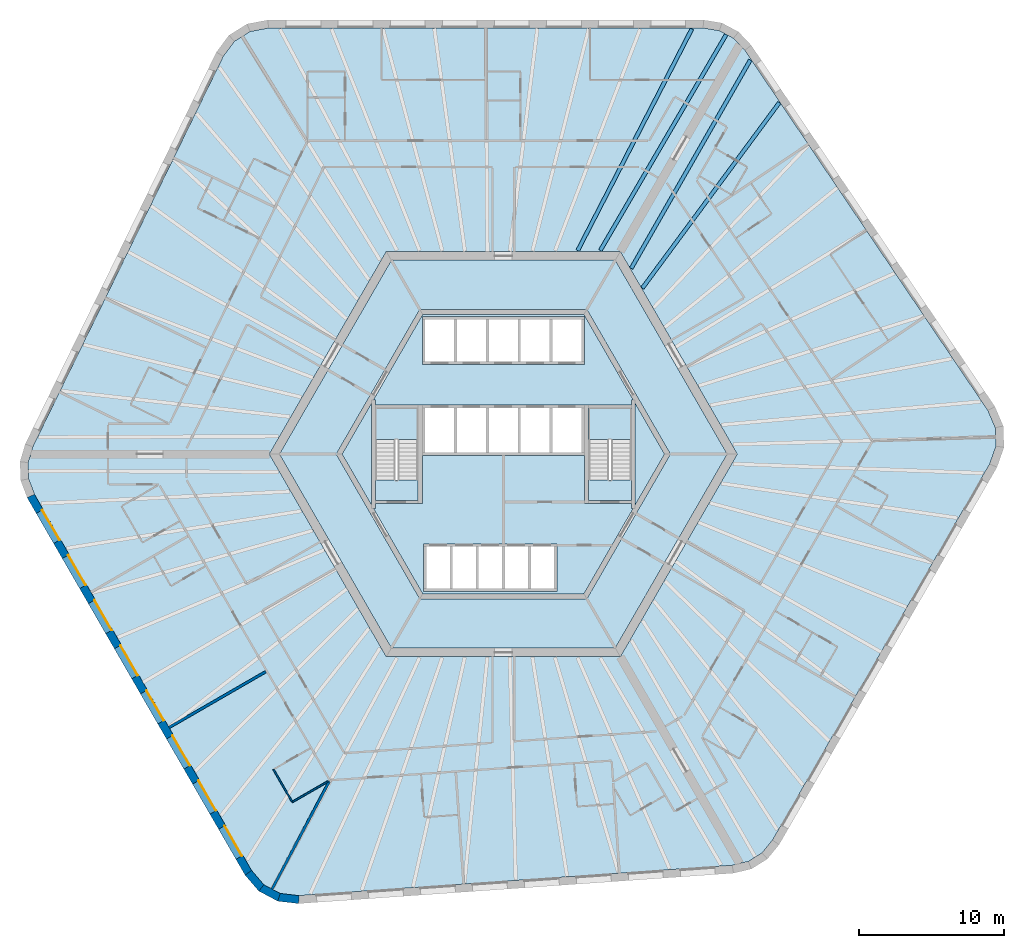
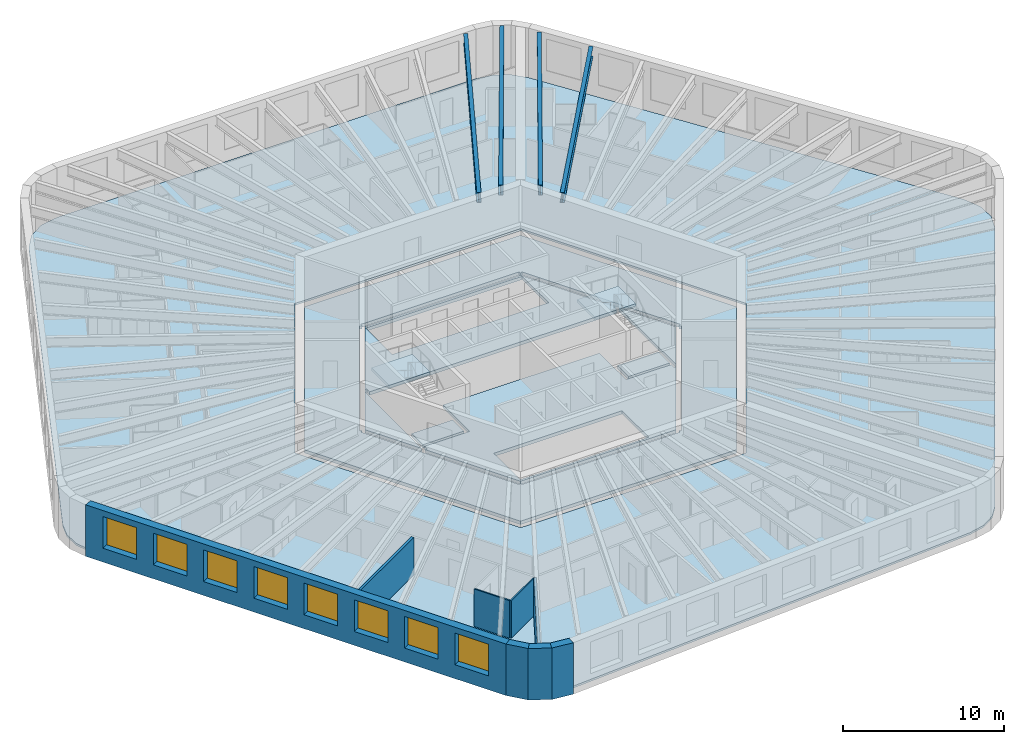
# One storey, part 2 of 12: 10 slabs, 8 walls, 8 windows, 4 beams, 8 openings, 2 elements without a shape of their own.
"""IFC4 building model written with IfcOpenShell, lengths in metres."""

from ifc_helpers import new_model, si_unit, direction, frame, frame_2d, origin, origin_2d, place, context, subcontext, project, spatial, polyline, rectangle, i_section, outline, extrude, material, layer, layer_set, material_profile, profile_set, type_object, element, fill, aggregate, save


model = new_model("IFC4")

# Units and contexts
model_context = context("Model", 3, precision=1e-05, world=origin(), true_north=direction((0.0, 1.0)))
body_context = subcontext(model_context, "Body", "Model", "MODEL_VIEW")
ifc_project = project(units=[si_unit("LENGTHUNIT", "METRE"), si_unit("AREAUNIT", "SQUARE_METRE"), si_unit("VOLUMEUNIT", "CUBIC_METRE"), si_unit("PLANEANGLEUNIT", "RADIAN"), si_unit("MASSUNIT", "GRAM", prefix="KILO")], contexts=[model_context])

# Site, building, storey
site_placement = place(None, origin())
site = spatial("IfcSite", under=ifc_project, at=site_placement, CompositionType="ELEMENT")
building_placement = place(site_placement, origin())
building = spatial("IfcBuilding", under=site, at=building_placement, Name="Tarnside Tower", CompositionType="ELEMENT")
storey_placement = place(building_placement, frame((0.0, 0.0, 138.89990234375)))
storey = spatial("IfcBuildingStorey", under=building, at=storey_placement, Name="L32", CompositionType="ELEMENT", Elevation=138.89990234375)

# Beams
ifc_material_1 = material(Name="Steel S355", Category="steel")
ifc_material_profile = material_profile(ifc_material_1, i_section(OverallWidth=0.2666015625, OverallDepth=0.76220703125, WebThickness=0.014404296875, FlangeThickness=0.021484375, FilletRadius=0.0166015625, at=origin_2d()), Name="UB 762x267x173")
ifc_profile_set = profile_set([ifc_material_profile], Name="Steel S355")
beam_type = type_object("IfcBeamType", Name="Floor beam UB 762x267x173", PredefinedType="BEAM", material=ifc_profile_set)
beam_1_placement = place(storey_placement, frame((13.0283203125, 29.37890625, 3.368896484375), z_axis=(-0.457973226459, -0.888965985765, 0.0), x_axis=(0.888965985765, -0.457973226459, 0.0)))
element("IfcBeam", 1, at=beam_1_placement, inside=storey, type_object=beam_type, Name="Floor beam F1.01", PredefinedType="BEAM", context=body_context, shape_type="SweptSolid", body=[
    extrude(i_section(OverallWidth=0.2666015625, OverallDepth=0.76220703125, WebThickness=0.014404296875, FlangeThickness=0.021484375, FilletRadius=0.0166015625, at=origin_2d()), origin(), (0.0, 0.0, 1.0), 17.219970703125),
])
beam_2_placement = place(storey_placement, frame((19.072021484375, 24.28857421875, 3.368896484375), z_axis=(-0.593986893499, -0.804474717037, 0.0), x_axis=(0.804474717037, -0.593986893499, 0.0)))
element("IfcBeam", 2, at=beam_2_placement, inside=storey, type_object=beam_type, Name="Floor beam F6.08", PredefinedType="BEAM", context=body_context, shape_type="SweptSolid", body=[
    extrude(i_section(OverallWidth=0.2666015625, OverallDepth=0.76220703125, WebThickness=0.014404296875, FlangeThickness=0.021484375, FilletRadius=0.0166015625, at=origin_2d()), origin(), (0.0, 0.0, 1.0), 15.934326171875),
])
beam_3_placement = place(storey_placement, frame((17.066162109375, 27.235107421875, 3.368896484375), z_axis=(-0.49622611841, -0.868193319145, 0.0), x_axis=(0.868193319145, -0.49622611841, 0.0)))
element("IfcBeam", 3, at=beam_3_placement, inside=storey, type_object=beam_type, Name="Floor beam F6.09", PredefinedType="BEAM", context=body_context, shape_type="SweptSolid", body=[
    extrude(i_section(OverallWidth=0.2666015625, OverallDepth=0.76220703125, WebThickness=0.014404296875, FlangeThickness=0.021484375, FilletRadius=0.0166015625, at=origin_2d()), origin(), (0.0, 0.0, 1.0), 16.586669921875),
])
beam_4_placement = place(storey_placement, frame((15.4013671875, 28.990478515625, 3.368896484375), z_axis=(-0.503858723096, -0.863786077198, 0.0), x_axis=(0.863786077198, -0.503858723096, 0.0)))
element("IfcBeam", 4, at=beam_4_placement, inside=storey, type_object=beam_type, Name="Floor beam C6", PredefinedType="BEAM", context=body_context, shape_type="SweptSolid", body=[
    extrude(i_section(OverallWidth=0.2666015625, OverallDepth=0.76220703125, WebThickness=0.014404296875, FlangeThickness=0.021484375, FilletRadius=0.0166015625, at=origin_2d()), origin(), (0.0, 0.0, 1.0), 17.2744140625),
])

# Slabs
ifc_material_2 = material(Name="Concrete C35/45", Category="concrete")
ifc_layer_1 = layer(ifc_material_2, 0.14990234375)
ifc_layer_set_1 = layer_set([ifc_layer_1], Name="Composite floor slab 150")
slab_type_1 = type_object("IfcSlabType", Name="Composite floor slab 150", PredefinedType="FLOOR", material=ifc_layer_set_1)
slab_1_placement = place(storey_placement, frame((0.0, 0.0, -0.14990234375)))
element("IfcSlab", 5, at=slab_1_placement, inside=storey, type_object=slab_type_1, Name="Floor slab L32", PredefinedType="FLOOR", context=body_context, shape_type="SweptSolid", body=[
    extrude(outline(polyline([(14.927490234375, 29.264892578125), (15.91455078125, 28.740234375), (16.697265625, 27.91064453125), (33.48583984375, 3.0205078125), (34.001220703125, 1.825439453125), (34.0458984375, 0.55078125), (33.614990234375, -0.67724609375), (18.603515625, -26.677978515625), (17.880615234375, -27.56005859375), (16.9326171875, -28.15234375), (15.82275390625, -28.41552734375), (-14.127197265625, -30.509765625), (-15.419921875, -30.358642578125), (-16.5458984375, -29.760009765625), (-17.39404296875, -28.772705078125), (-32.405517578125, -2.772216796875), (-32.80810546875, -1.704833984375), (-32.846923828125, -0.587890625), (-32.52001953125, 0.5048828125), (-19.358642578125, 27.4892578125), (-18.58154296875, 28.533203125), (-17.5, 29.208984375), (-16.220947265625, 29.449951171875), (13.802001953125, 29.449951171875), (14.927490234375, 29.264892578125)]), holes=[polyline([(-16.165771484375, 0.0), (-8.0830078125, -14.0), (8.0830078125, -14.0), (16.165771484375, 0.0), (8.0830078125, 14.0), (-8.0830078125, 14.0), (-16.165771484375, 0.0)])]), origin(), (0.0, 0.0, 1.0), 0.14990234375),
])
ifc_material_3 = material(Name="Concrete C40/50", Category="concrete")
ifc_layer_2 = layer(ifc_material_3, 0.25)
ifc_layer_set_2 = layer_set([ifc_layer_2], Name="Core slab C40/50")
slab_type_2 = type_object("IfcSlabType", Name="Core slab C40/50", PredefinedType="FLOOR", material=ifc_layer_set_2)
slab_2_placement = place(storey_placement, frame((0.0, 0.0, -0.25)))
element("IfcSlab", 6, at=slab_2_placement, inside=storey, type_object=slab_type_2, Name="L32 core floor slab 1", PredefinedType="FLOOR", context=body_context, shape_type="SweptSolid", body=[
    extrude(outline(polyline([(-15.472900390625, 0.0), (-7.736572265625, 13.39990234375), (7.736572265625, 13.39990234375), (15.472900390625, 0.0), (7.736572265625, -13.39990234375), (-7.736572265625, -13.39990234375), (-15.472900390625, 0.0)]), holes=[polyline([(5.823974609375, -9.91259765625), (11.49658203125, -0.08740234375), (11.344970703125, 0.0), (11.49658203125, 0.08740234375), (5.823974609375, 9.91259765625), (5.672607421875, 9.824951171875), (5.672607421875, 10.0), (-5.672607421875, 10.0), (-5.672607421875, 9.824951171875), (-5.823974609375, 9.91259765625), (-11.49658203125, 0.08740234375), (-11.344970703125, 0.0), (-11.49658203125, -0.08740234375), (-5.823974609375, -9.91259765625), (-5.672607421875, -9.824951171875), (-5.672607421875, -10.0), (5.672607421875, -10.0), (5.672607421875, -9.824951171875), (5.823974609375, -9.91259765625)])]), origin(), (0.0, 0.0, 1.0), 0.25),
])
slab_3_placement = place(storey_placement, frame((0.0, 0.0, -0.25)))
element("IfcSlab", 7, at=slab_3_placement, inside=storey, type_object=slab_type_2, Name="L32 core floor slab 2", PredefinedType="FLOOR", context=body_context, shape_type="SweptSolid", body=[
    extrude(outline(polyline([(-8.97509765625, 3.7548828125), (-5.5712890625, 9.64990234375), (5.5712890625, 9.64990234375), (8.97509765625, 3.7548828125), (8.85009765625, 3.7548828125), (8.85009765625, 3.39990234375), (5.89990234375, 3.39990234375), (5.60009765625, 3.39990234375), (5.60009765625, 3.39990234375), (-5.60009765625, 3.39990234375), (-5.89990234375, 3.39990234375), (-8.85009765625, 3.39990234375), (-8.85009765625, 3.7548828125), (-8.97509765625, 3.7548828125)]), holes=[polyline([(-5.60009765625, 6.199951171875), (5.60009765625, 6.199951171875), (5.60009765625, 6.39990234375), (5.60009765625, 9.300048828125), (5.60009765625, 9.5), (-5.60009765625, 9.5), (-5.60009765625, 9.300048828125), (-5.60009765625, 6.39990234375), (-5.60009765625, 6.199951171875)])]), origin(), (0.0, 0.0, 1.0), 0.25),
])
slab_4_placement = place(storey_placement, frame((0.0, 0.0, -0.25)))
element("IfcSlab", 8, at=slab_4_placement, inside=storey, type_object=slab_type_2, Name="L32 core floor slab 3", PredefinedType="FLOOR", context=body_context, shape_type="SweptSolid", body=[
    extrude(outline(polyline([(5.60009765625, -3.39990234375), (5.89990234375, -3.39990234375), (8.85009765625, -3.39990234375), (8.85009765625, -3.7548828125), (8.97509765625, -3.7548828125), (5.5712890625, -9.64990234375), (-5.5712890625, -9.64990234375), (-8.97509765625, -3.7548828125), (-8.85009765625, -3.7548828125), (-8.85009765625, -3.39990234375), (-5.89990234375, -3.39990234375), (-5.60009765625, -3.39990234375), (-5.60009765625, -0.10009765625), (5.60009765625, -0.10009765625), (5.60009765625, -3.39990234375)]), holes=[polyline([(-5.5, -9.300048828125), (-5.5, -9.5), (3.699951171875, -9.5), (3.699951171875, -9.300048828125), (3.699951171875, -6.39990234375), (3.699951171875, -6.199951171875), (-5.5, -6.199951171875), (-5.5, -6.39990234375), (-5.5, -9.300048828125)])]), origin(), (0.0, 0.0, 1.0), 0.25),
])
slab_5_placement = place(storey_placement, frame((0.0, 0.0, -0.25)))
element("IfcSlab", 9, at=slab_5_placement, inside=storey, type_object=slab_type_2, Name="L32 core floor slab 4", PredefinedType="FLOOR", context=body_context, shape_type="SweptSolid", body=[
    extrude(outline(polyline([(-11.142822265625, 0.0), (-9.10009765625, 3.538330078125), (-9.10009765625, -3.538330078125), (-11.142822265625, 0.0)])), origin(), (0.0, 0.0, 1.0), 0.25),
])
slab_6_placement = place(storey_placement, frame((0.0, 0.0, -0.25)))
element("IfcSlab", 10, at=slab_6_placement, inside=storey, type_object=slab_type_2, Name="L32 core floor slab 5", PredefinedType="FLOOR", context=body_context, shape_type="SweptSolid", body=[
    extrude(outline(polyline([(-8.85009765625, -1.800048828125), (-5.89990234375, -1.800048828125), (-5.89990234375, -3.199951171875), (-8.85009765625, -3.199951171875), (-8.85009765625, -1.800048828125)])), origin(), (0.0, 0.0, 1.0), 0.25),
])
slab_7_placement = place(storey_placement, frame((0.0, 0.0, -0.25)))
element("IfcSlab", 11, at=slab_7_placement, inside=storey, type_object=slab_type_2, Name="L32 core floor slab 6", PredefinedType="FLOOR", context=body_context, shape_type="SweptSolid", body=[
    extrude(outline(polyline([(5.89990234375, -3.199951171875), (5.89990234375, -1.800048828125), (8.85009765625, -1.800048828125), (8.85009765625, -3.199951171875), (5.89990234375, -3.199951171875)])), origin(), (0.0, 0.0, 1.0), 0.25),
])
slab_8_placement = place(storey_placement, frame((0.0, 0.0, -0.25)))
element("IfcSlab", 12, at=slab_8_placement, inside=storey, type_object=slab_type_2, Name="L32 core floor slab 7", PredefinedType="FLOOR", context=body_context, shape_type="SweptSolid", body=[
    extrude(outline(polyline([(9.10009765625, -3.538330078125), (9.10009765625, 3.538330078125), (11.142822265625, 0.0), (9.10009765625, -3.538330078125)])), origin(), (0.0, 0.0, 1.0), 0.25),
])

# Stair, slab
stair_type = type_object("IfcStairType", Name="Exit stair 1400 clear", PredefinedType="HALF_TURN_STAIR", material=ifc_material_3)
stair_1_placement = place(storey_placement, origin())
stair_1 = element("IfcStair", 13, at=stair_1_placement, inside=storey, type_object=stair_type, Name="L32 Exit stair 1", PredefinedType="HALF_TURN_STAIR")
ifc_layer_3 = layer(ifc_material_3, 0.199951171875)
ifc_layer_set_3 = layer_set([ifc_layer_3], Name="Stair landing 200 C40/50")
slab_type_3 = type_object("IfcSlabType", Name="Stair landing 200 C40/50", PredefinedType="LANDING", material=ifc_layer_set_3)
slab_9_placement = place(storey_placement, frame((0.0, 0.0, 1.75)))
slab_9 = element("IfcSlab", 14, at=slab_9_placement, type_object=slab_type_3, Name="ST1 landing 1", PredefinedType="LANDING", context=body_context, shape_type="SweptSolid", body=[
    extrude(outline(polyline([(8.85009765625, 1.0), (8.85009765625, 3.199951171875), (5.89990234375, 3.199951171875), (5.89990234375, 1.0), (8.85009765625, 1.0)])), origin(), (0.0, 0.0, 1.0), 0.2001953125),
])
aggregate(stair_1, [slab_9])

stair_2_placement = place(storey_placement, origin())
stair_2 = element("IfcStair", 15, at=stair_2_placement, inside=storey, type_object=stair_type, Name="L32 Exit stair 2", PredefinedType="HALF_TURN_STAIR")
slab_10_placement = place(storey_placement, frame((0.0, 0.0, 1.75)))
slab_10 = element("IfcSlab", 16, at=slab_10_placement, type_object=slab_type_3, Name="ST2 landing 1", PredefinedType="LANDING", context=body_context, shape_type="SweptSolid", body=[
    extrude(outline(polyline([(-5.89990234375, 1.0), (-5.89990234375, 3.199951171875), (-8.85009765625, 3.199951171875), (-8.85009765625, 1.0), (-5.89990234375, 1.0)])), origin(), (0.0, 0.0, 1.0), 0.2001953125),
])
aggregate(stair_2, [slab_10])

# Walls
ifc_material_4 = material(Name="Gypsum board partition on steel studs", Category="steel")
ifc_layer_4 = layer(ifc_material_4, 0.10009765625)
ifc_layer_set_4 = layer_set([ifc_layer_4], Name="Bathroom wall 100")
wall_type_1 = type_object("IfcWallType", Name="Bathroom wall 100", PredefinedType="PARTITIONING", material=ifc_layer_set_4)
wall_1_placement = place(storey_placement, frame((-12.13330078125, -22.62646484375, 0.0), z_axis=(0.0, 0.0, 1.0), x_axis=(-0.866014564827, -0.500018773155, 0.0)))
element("IfcWall", 17, at=wall_1_placement, inside=storey, type_object=wall_type_1, Name="Bathroom wall 10117", PredefinedType="PARTITIONING", context=body_context, shape_type="SweptSolid", body=[
    extrude(rectangle(XDim=2.8291015625, YDim=0.10009765625, at=frame_2d((1.41455078125, 0.0))), origin(), (0.0, 0.0, 1.0), 2.837890625),
])
wall_2_placement = place(storey_placement, frame((-14.6083984375, -23.99755859375, 0.0), z_axis=(0.0, 0.0, 1.0), x_axis=(-0.499990435942, 0.866030925526, 0.0)))
element("IfcWall", 18, at=wall_2_placement, inside=storey, type_object=wall_type_1, Name="Bathroom wall 10118", PredefinedType="PARTITIONING", context=body_context, shape_type="SweptSolid", body=[
    extrude(rectangle(XDim=2.5498046875, YDim=0.10009765625, at=frame_2d((1.27490234375, 0.0))), origin(), (0.0, 0.0, 1.0), 2.837890625),
])
ifc_layer_5 = layer(ifc_material_4, 0.179931640625)
ifc_layer_set_5 = layer_set([ifc_layer_5], Name="Demising wall 180 EI 60")
wall_type_2 = type_object("IfcWallType", Name="Demising wall 180 EI 60", PredefinedType="PARTITIONING", material=ifc_layer_set_5)
wall_3_placement = place(storey_placement, frame((-23.098876953125, -18.8916015625, 0.0), z_axis=(0.0, 0.0, 1.0), x_axis=(0.866019273868, 0.500010617176, 0.0)))
element("IfcWall", 19, at=wall_3_placement, inside=storey, type_object=wall_type_2, Name="Demising wall 10116", PredefinedType="PARTITIONING", context=body_context, shape_type="SweptSolid", body=[
    extrude(rectangle(XDim=7.724853515625, YDim=0.179931640625, at=frame_2d((3.8623046875, 0.0))), origin(), (0.0, 0.0, 1.0), 2.837890625),
])
wall_4_placement = place(storey_placement, frame((-15.98291015625, -30.059326171875, 0.0), z_axis=(0.0, 0.0, 1.0), x_axis=(0.469475065364, 0.882945730496, 0.0)))
element("IfcWall", 20, at=wall_4_placement, inside=storey, type_object=wall_type_2, Name="Demising wall 10120", PredefinedType="PARTITIONING", context=body_context, shape_type="SweptSolid", body=[
    extrude(rectangle(XDim=8.426513671875, YDim=0.179931640625, at=frame_2d((4.21337890625, 0.0))), origin(), (0.0, 0.0, 1.0), 2.837890625),
])

# Wall, openings, windows
ifc_material_5 = material(Name="Facing brick", Category="masonry")
ifc_layer_6 = layer(ifc_material_5, 0.10205078125)
ifc_material_6 = material(Name="Concrete C60/75 precast", Category="concrete")
ifc_layer_7 = layer(ifc_material_6, 0.347900390625)
ifc_material_7 = material(Name="Mineral wool insulation")
ifc_layer_8 = layer(ifc_material_7, 0.10009765625)
ifc_layer_set_6 = layer_set([ifc_layer_6, ifc_layer_7, ifc_layer_8], Name="Tube wall 550 brick faced")
wall_type_3 = type_object("IfcWallType", Name="Tube wall 550 brick faced", PredefinedType="SOLIDWALL", material=ifc_layer_set_6)
wall_5_placement = place(storey_placement, frame((-32.65478515625, -2.89013671875, -0.14990234375), z_axis=(0.0, 0.0, 1.0), x_axis=(0.499997711317, -0.866026725152, 0.0)))
wall_5 = element("IfcWall", 21, at=wall_5_placement, inside=storey, type_object=wall_type_3, Name="Tube wall L32 F3 flush 08", PredefinedType="SOLIDWALL", context=body_context, shape_type="SweptSolid", body=[
    extrude(outline(polyline([(-0.0224609375, -0.27490234375), (30.0966796875, -0.27490234375), (30.04541015625, 0.27490234375), (0.0224609375, 0.27490234375), (-0.0224609375, -0.27490234375)])), origin(), (0.0, 0.0, 1.0), 3.89990234375),
])
opening_1_placement = place(wall_5_placement, frame((1.235595703125, 0.0, 1.050048828125)))
opening_1 = element("IfcOpeningElement", 22, at=opening_1_placement, cuts=wall_5, Name="Opening WH", PredefinedType="OPENING", context=body_context, shape_type="SweptSolid", body=[
    extrude(rectangle(XDim=2.39990234375, YDim=2.39990234375, at=frame_2d((1.199951171875, 1.199951171875))), frame((0.0, 0.28515625, 0.0), z_axis=(0.0, -1.0, 0.0), x_axis=(1.0, 0.0, 0.0)), (0.0, 0.0, 1.0), 0.570068359375),
])
opening_2_placement = place(wall_5_placement, frame((4.83544921875, 0.0, 1.050048828125)))
opening_2 = element("IfcOpeningElement", 23, at=opening_2_placement, cuts=wall_5, Name="Opening WH", PredefinedType="OPENING", context=body_context, shape_type="SweptSolid", body=[
    extrude(rectangle(XDim=2.39990234375, YDim=2.39990234375, at=frame_2d((1.199951171875, 1.199951171875))), frame((0.0, 0.28515625, 0.0), z_axis=(0.0, -1.0, 0.0), x_axis=(1.0, 0.0, 0.0)), (0.0, 0.0, 1.0), 0.570068359375),
])
opening_3_placement = place(wall_5_placement, frame((8.435546875, 0.0, 1.050048828125)))
opening_3 = element("IfcOpeningElement", 24, at=opening_3_placement, cuts=wall_5, Name="Opening WH", PredefinedType="OPENING", context=body_context, shape_type="SweptSolid", body=[
    extrude(rectangle(XDim=2.39990234375, YDim=2.39990234375, at=frame_2d((1.199951171875, 1.199951171875))), frame((0.0, 0.28515625, 0.0), z_axis=(0.0, -1.0, 0.0), x_axis=(1.0, 0.0, 0.0)), (0.0, 0.0, 1.0), 0.570068359375),
])
opening_4_placement = place(wall_5_placement, frame((12.035400390625, 0.0, 1.050048828125)))
opening_4 = element("IfcOpeningElement", 25, at=opening_4_placement, cuts=wall_5, Name="Opening WH", PredefinedType="OPENING", context=body_context, shape_type="SweptSolid", body=[
    extrude(rectangle(XDim=2.39990234375, YDim=2.39990234375, at=frame_2d((1.199951171875, 1.199951171875))), frame((0.0, 0.28515625, 0.0), z_axis=(0.0, -1.0, 0.0), x_axis=(1.0, 0.0, 0.0)), (0.0, 0.0, 1.0), 0.570068359375),
])
opening_5_placement = place(wall_5_placement, frame((15.635498046875, 0.0, 1.050048828125)))
opening_5 = element("IfcOpeningElement", 26, at=opening_5_placement, cuts=wall_5, Name="Opening WH", PredefinedType="OPENING", context=body_context, shape_type="SweptSolid", body=[
    extrude(rectangle(XDim=2.39990234375, YDim=2.39990234375, at=frame_2d((1.199951171875, 1.199951171875))), frame((0.0, 0.28515625, 0.0), z_axis=(0.0, -1.0, 0.0), x_axis=(1.0, 0.0, 0.0)), (0.0, 0.0, 1.0), 0.570068359375),
])
opening_6_placement = place(wall_5_placement, frame((19.235595703125, 0.0, 1.050048828125)))
opening_6 = element("IfcOpeningElement", 27, at=opening_6_placement, cuts=wall_5, Name="Opening WH", PredefinedType="OPENING", context=body_context, shape_type="SweptSolid", body=[
    extrude(rectangle(XDim=2.39990234375, YDim=2.39990234375, at=frame_2d((1.199951171875, 1.199951171875))), frame((0.0, 0.28515625, 0.0), z_axis=(0.0, -1.0, 0.0), x_axis=(1.0, 0.0, 0.0)), (0.0, 0.0, 1.0), 0.570068359375),
])
opening_7_placement = place(wall_5_placement, frame((22.83544921875, 0.0, 1.050048828125)))
opening_7 = element("IfcOpeningElement", 28, at=opening_7_placement, cuts=wall_5, Name="Opening WH", PredefinedType="OPENING", context=body_context, shape_type="SweptSolid", body=[
    extrude(rectangle(XDim=2.39990234375, YDim=2.39990234375, at=frame_2d((1.199951171875, 1.199951171875))), frame((0.0, 0.28515625, 0.0), z_axis=(0.0, -1.0, 0.0), x_axis=(1.0, 0.0, 0.0)), (0.0, 0.0, 1.0), 0.570068359375),
])
opening_8_placement = place(wall_5_placement, frame((26.435546875, 0.0, 1.050048828125)))
opening_8 = element("IfcOpeningElement", 29, at=opening_8_placement, cuts=wall_5, Name="Opening WH", PredefinedType="OPENING", context=body_context, shape_type="SweptSolid", body=[
    extrude(rectangle(XDim=2.39990234375, YDim=2.39990234375, at=frame_2d((1.199951171875, 1.199951171875))), frame((0.0, 0.28515625, 0.0), z_axis=(0.0, -1.0, 0.0), x_axis=(1.0, 0.0, 0.0)), (0.0, 0.0, 1.0), 0.570068359375),
])
ifc_material_8 = material(Name="Aluminium-framed double glazing", Category="aluminium")
window_type = type_object("IfcWindowType", Name="Hotel window 2400 x 2400", PartitioningType="DOUBLE_PANEL_VERTICAL", PredefinedType="WINDOW", material=ifc_material_8)
window_1_placement = place(opening_1_placement, frame((0.0, 0.205078125, 0.0)))
window_1 = element("IfcWindow", 30, at=window_1_placement, inside=storey, type_object=window_type, Name="E.WN.L32.F3.00", OverallHeight=2.39990234375, OverallWidth=2.39990234375, PartitioningType="DOUBLE_PANEL_VERTICAL", PredefinedType="WINDOW", context=body_context, shape_type="SweptSolid", body=[
    extrude(rectangle(XDim=2.39990234375, YDim=2.39990234375, at=frame_2d((1.199951171875, 1.199951171875))), frame((0.0, 0.030029296875, 0.0), z_axis=(0.0, -1.0, 0.0), x_axis=(1.0, 0.0, 0.0)), (0.0, 0.0, 1.0), 0.06005859375),
])
fill(opening_1, window_1)
window_2_placement = place(opening_2_placement, frame((0.0, 0.205078125, 0.0)))
window_2 = element("IfcWindow", 31, at=window_2_placement, inside=storey, type_object=window_type, Name="E.WN.L32.F3.01", OverallHeight=2.39990234375, OverallWidth=2.39990234375, PartitioningType="DOUBLE_PANEL_VERTICAL", PredefinedType="WINDOW", context=body_context, shape_type="SweptSolid", body=[
    extrude(rectangle(XDim=2.39990234375, YDim=2.39990234375, at=frame_2d((1.199951171875, 1.199951171875))), frame((0.0, 0.030029296875, 0.0), z_axis=(0.0, -1.0, 0.0), x_axis=(1.0, 0.0, 0.0)), (0.0, 0.0, 1.0), 0.06005859375),
])
fill(opening_2, window_2)
window_3_placement = place(opening_3_placement, frame((0.0, 0.205078125, 0.0)))
window_3 = element("IfcWindow", 32, at=window_3_placement, inside=storey, type_object=window_type, Name="E.WN.L32.F3.02", OverallHeight=2.39990234375, OverallWidth=2.39990234375, PartitioningType="DOUBLE_PANEL_VERTICAL", PredefinedType="WINDOW", context=body_context, shape_type="SweptSolid", body=[
    extrude(rectangle(XDim=2.39990234375, YDim=2.39990234375, at=frame_2d((1.199951171875, 1.199951171875))), frame((0.0, 0.030029296875, 0.0), z_axis=(0.0, -1.0, 0.0), x_axis=(1.0, 0.0, 0.0)), (0.0, 0.0, 1.0), 0.06005859375),
])
fill(opening_3, window_3)
window_4_placement = place(opening_4_placement, frame((0.0, 0.205078125, 0.0)))
window_4 = element("IfcWindow", 33, at=window_4_placement, inside=storey, type_object=window_type, Name="E.WN.L32.F3.03", OverallHeight=2.39990234375, OverallWidth=2.39990234375, PartitioningType="DOUBLE_PANEL_VERTICAL", PredefinedType="WINDOW", context=body_context, shape_type="SweptSolid", body=[
    extrude(rectangle(XDim=2.39990234375, YDim=2.39990234375, at=frame_2d((1.199951171875, 1.199951171875))), frame((0.0, 0.030029296875, 0.0), z_axis=(0.0, -1.0, 0.0), x_axis=(1.0, 0.0, 0.0)), (0.0, 0.0, 1.0), 0.06005859375),
])
fill(opening_4, window_4)
window_5_placement = place(opening_5_placement, frame((0.0, 0.205078125, 0.0)))
window_5 = element("IfcWindow", 34, at=window_5_placement, inside=storey, type_object=window_type, Name="E.WN.L32.F3.04", OverallHeight=2.39990234375, OverallWidth=2.39990234375, PartitioningType="DOUBLE_PANEL_VERTICAL", PredefinedType="WINDOW", context=body_context, shape_type="SweptSolid", body=[
    extrude(rectangle(XDim=2.39990234375, YDim=2.39990234375, at=frame_2d((1.199951171875, 1.199951171875))), frame((0.0, 0.030029296875, 0.0), z_axis=(0.0, -1.0, 0.0), x_axis=(1.0, 0.0, 0.0)), (0.0, 0.0, 1.0), 0.06005859375),
])
fill(opening_5, window_5)
window_6_placement = place(opening_6_placement, frame((0.0, 0.205078125, 0.0)))
window_6 = element("IfcWindow", 35, at=window_6_placement, inside=storey, type_object=window_type, Name="E.WN.L32.F3.05", OverallHeight=2.39990234375, OverallWidth=2.39990234375, PartitioningType="DOUBLE_PANEL_VERTICAL", PredefinedType="WINDOW", context=body_context, shape_type="SweptSolid", body=[
    extrude(rectangle(XDim=2.39990234375, YDim=2.39990234375, at=frame_2d((1.199951171875, 1.199951171875))), frame((0.0, 0.030029296875, 0.0), z_axis=(0.0, -1.0, 0.0), x_axis=(1.0, 0.0, 0.0)), (0.0, 0.0, 1.0), 0.06005859375),
])
fill(opening_6, window_6)
window_7_placement = place(opening_7_placement, frame((0.0, 0.205078125, 0.0)))
window_7 = element("IfcWindow", 36, at=window_7_placement, inside=storey, type_object=window_type, Name="E.WN.L32.F3.06", OverallHeight=2.39990234375, OverallWidth=2.39990234375, PartitioningType="DOUBLE_PANEL_VERTICAL", PredefinedType="WINDOW", context=body_context, shape_type="SweptSolid", body=[
    extrude(rectangle(XDim=2.39990234375, YDim=2.39990234375, at=frame_2d((1.199951171875, 1.199951171875))), frame((0.0, 0.030029296875, 0.0), z_axis=(0.0, -1.0, 0.0), x_axis=(1.0, 0.0, 0.0)), (0.0, 0.0, 1.0), 0.06005859375),
])
fill(opening_7, window_7)
window_8_placement = place(opening_8_placement, frame((0.0, 0.205078125, 0.0)))
window_8 = element("IfcWindow", 37, at=window_8_placement, inside=storey, type_object=window_type, Name="E.WN.L32.F3.07", OverallHeight=2.39990234375, OverallWidth=2.39990234375, PartitioningType="DOUBLE_PANEL_VERTICAL", PredefinedType="WINDOW", context=body_context, shape_type="SweptSolid", body=[
    extrude(rectangle(XDim=2.39990234375, YDim=2.39990234375, at=frame_2d((1.199951171875, 1.199951171875))), frame((0.0, 0.030029296875, 0.0), z_axis=(0.0, -1.0, 0.0), x_axis=(1.0, 0.0, 0.0)), (0.0, 0.0, 1.0), 0.06005859375),
])
fill(opening_8, window_8)

# Walls
wall_6_placement = place(storey_placement, frame((-17.619384765625, -28.932373046875, -0.14990234375), z_axis=(0.0, 0.0, 1.0), x_axis=(0.651621950847, -0.758543890078, 0.0)))
element("IfcWall", 38, at=wall_6_placement, inside=storey, type_object=wall_type_3, Name="Tube wall L32 F3 chord 09", PredefinedType="SOLIDWALL", context=body_context, shape_type="SweptSolid", body=[
    extrude(outline(polyline([(-0.025634765625, -0.27490234375), (1.430908203125, -0.27490234375), (1.327392578125, 0.27490234375), (0.025634765625, 0.27490234375), (-0.025634765625, -0.27490234375)])), origin(), (0.0, 0.0, 1.0), 3.89990234375),
])
wall_7_placement = place(storey_placement, frame((-16.720703125, -29.978515625, -0.14990234375), z_axis=(0.0, 0.0, 1.0), x_axis=(0.882994189209, -0.469383917304, 0.0)))
element("IfcWall", 39, at=wall_7_placement, inside=storey, type_object=wall_type_3, Name="Tube wall L32 F3 chord 10", PredefinedType="SOLIDWALL", context=body_context, shape_type="SweptSolid", body=[
    extrude(outline(polyline([(-0.0517578125, -0.27490234375), (1.4306640625, -0.27490234375), (1.3271484375, 0.27490234375), (0.0517578125, 0.27490234375), (-0.0517578125, -0.27490234375)])), origin(), (0.0, 0.0, 1.0), 3.89990234375),
])
wall_8_placement = place(storey_placement, frame((-15.503173828125, -30.625732421875, -0.14990234375), z_axis=(0.0, 0.0, 1.0), x_axis=(0.993232537394, -0.11614269956, 0.0)))
element("IfcWall", 40, at=wall_8_placement, inside=storey, type_object=wall_type_3, Name="Tube wall L32 F3 chord 11", PredefinedType="SOLIDWALL", context=body_context, shape_type="SweptSolid", body=[
    extrude(outline(polyline([(-0.0517578125, -0.27490234375), (1.404541015625, -0.27490234375), (1.353271484375, 0.27490234375), (0.0517578125, 0.27490234375), (-0.0517578125, -0.27490234375)])), origin(), (0.0, 0.0, 1.0), 3.89990234375),
])

save(model, "model.ifc")
